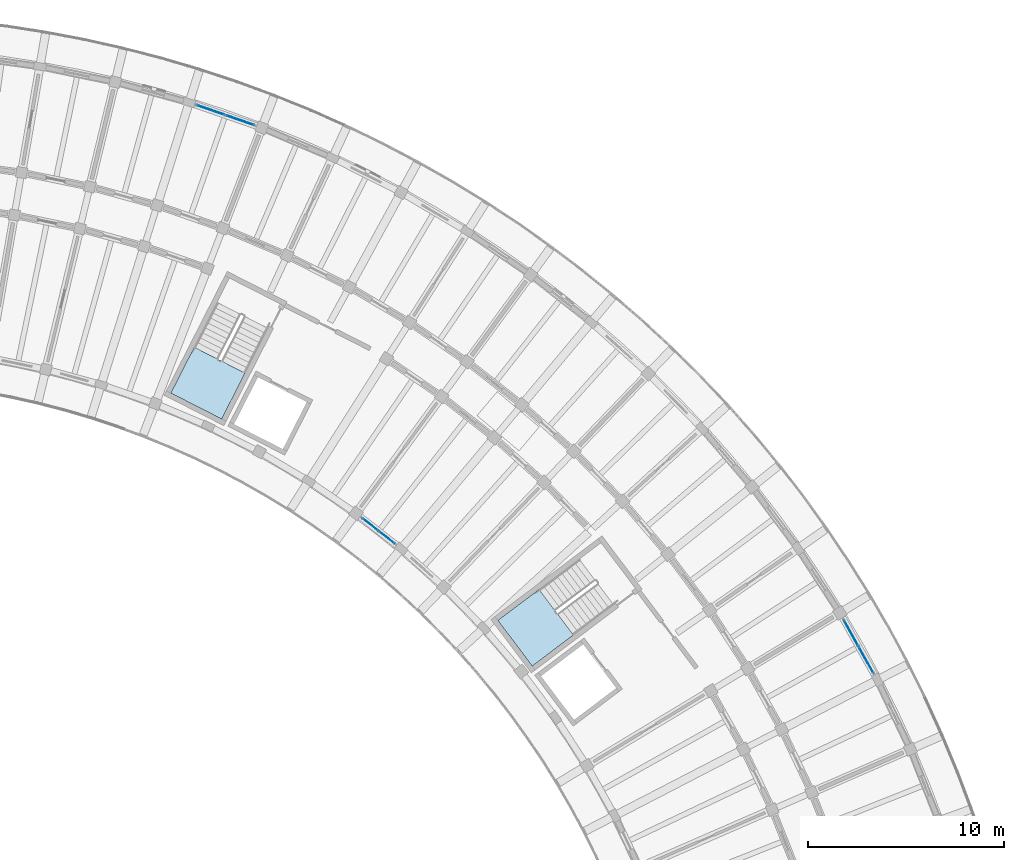
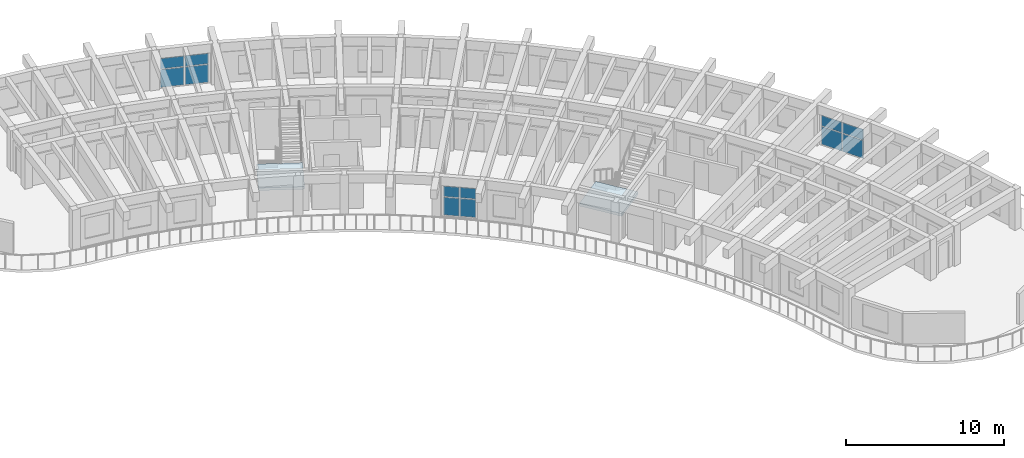
# One storey, part 36 of 78: 12 plates, 2 slabs, 5 elements without a shape of their own.
"""IFC4 building model written with IfcOpenShell, lengths in metres."""

from ifc_helpers import new_model, si_unit, direction, frame, origin, origin_2d, place, context, subcontext, project, spatial, polyline, rectangle, outline, extrude, material, layer, layer_set, type_object, element, aggregate, save


model = new_model("IFC4")

# Units and contexts
model_context = context("Model", 3, precision=1e-05, world=origin(), true_north=direction((0.0, 1.0)))
body_context = subcontext(model_context, "Body", "Model", "MODEL_VIEW")
ifc_project = project(units=[si_unit("LENGTHUNIT", "METRE"), si_unit("AREAUNIT", "SQUARE_METRE"), si_unit("VOLUMEUNIT", "CUBIC_METRE"), si_unit("PLANEANGLEUNIT", "RADIAN"), si_unit("MASSUNIT", "GRAM", prefix="KILO")], contexts=[model_context])

# Site, building, storey
site_placement = place(None, origin())
site = spatial("IfcSite", under=ifc_project, at=site_placement, CompositionType="ELEMENT")
building_placement = place(site_placement, origin())
building = spatial("IfcBuilding", under=site, at=building_placement, Name="Tanwirah Colonnade Gardens", CompositionType="ELEMENT")
storey_placement = place(building_placement, frame((0.0, 0.0, 22.280029296875)))
storey = spatial("IfcBuildingStorey", under=building, at=storey_placement, Name="L06", CompositionType="ELEMENT", Elevation=22.280029296875)

# Curtain wall, plates
ifc_material_1 = material(Name="Bronze-anodised aluminium and solar-control low-E glass", Category="aluminium")
curtain_wall_type_1 = type_object("IfcCurtainWallType", Name="CW-LOB", PredefinedType="NOTDEFINED", material=ifc_material_1)
curtain_wall_1_placement = place(storey_placement, origin())
curtain_wall_1 = element("IfcCurtainWall", 1, at=curtain_wall_1_placement, inside=storey, type_object=curtain_wall_type_1, Name="Curtain Wall CW-B-L06-OUT-03", PredefinedType="NOTDEFINED")
ifc_material_2 = material(Name="Insulated bronze aluminium spandrel panel", Category="aluminium")
ifc_layer_1 = layer(ifc_material_2, 0.035888671875)
ifc_layer_set_1 = layer_set([ifc_layer_1], Name="Insulated bronze aluminium spandrel panel")
plate_type = type_object("IfcPlateType", Name="CWP-SPN36", PredefinedType="CURTAIN_PANEL", material=ifc_layer_set_1)
plate_1_placement = place(storey_placement, frame((173.326416015625, 88.571044921875, 0.06494140625), z_axis=(0.0, 0.0, 1.0), x_axis=(-0.488200181987, 0.8727316783, 0.0)))
plate_1 = element("IfcPlate", 2, at=plate_1_placement, type_object=plate_type, Name="CW-LOB panel 1.1", PredefinedType="CURTAIN_PANEL", context=body_context, shape_type="SweptSolid", body=[
    extrude(rectangle(XDim=1.50537109375, YDim=0.035888671875, at=origin_2d()), origin(), (0.0, 0.0, 1.0), 1.362548828125),
])
plate_2_placement = place(storey_placement, frame((173.326416015625, 88.571044921875, 1.49267578125), z_axis=(0.0, 0.0, 1.0), x_axis=(-0.488200181987, 0.8727316783, 0.0)))
plate_2 = element("IfcPlate", 3, at=plate_2_placement, type_object=plate_type, Name="CW-LOB panel 1.2", PredefinedType="CURTAIN_PANEL", context=body_context, shape_type="SweptSolid", body=[
    extrude(rectangle(XDim=1.50537109375, YDim=0.035888671875, at=origin_2d()), origin(), (0.0, 0.0, 1.0), 0.79736328125),
])
plate_3_placement = place(storey_placement, frame((172.5595703125, 89.941650390625, 0.06494140625), z_axis=(0.0, 0.0, 1.0), x_axis=(-0.488200181987, 0.8727316783, 0.0)))
plate_3 = element("IfcPlate", 4, at=plate_3_placement, type_object=plate_type, Name="CW-LOB panel 2.1", PredefinedType="CURTAIN_PANEL", context=body_context, shape_type="SweptSolid", body=[
    extrude(rectangle(XDim=1.50537109375, YDim=0.035888671875, at=origin_2d()), origin(), (0.0, 0.0, 1.0), 1.362548828125),
])
plate_4_placement = place(storey_placement, frame((172.5595703125, 89.941650390625, 1.49267578125), z_axis=(0.0, 0.0, 1.0), x_axis=(-0.488200181987, 0.8727316783, 0.0)))
plate_4 = element("IfcPlate", 5, at=plate_4_placement, type_object=plate_type, Name="CW-LOB panel 2.2", PredefinedType="CURTAIN_PANEL", context=body_context, shape_type="SweptSolid", body=[
    extrude(rectangle(XDim=1.50537109375, YDim=0.035888671875, at=origin_2d()), origin(), (0.0, 0.0, 1.0), 0.79736328125),
])
aggregate(curtain_wall_1, [plate_1, plate_2, plate_3, plate_4])

curtain_wall_type_2 = type_object("IfcCurtainWallType", Name="CW-GDN", PredefinedType="NOTDEFINED", material=ifc_material_1)
curtain_wall_2_placement = place(storey_placement, origin())
curtain_wall_2 = element("IfcCurtainWall", 6, at=curtain_wall_2_placement, inside=storey, type_object=curtain_wall_type_2, Name="Curtain Wall CW-B-L06-IN-09", PredefinedType="NOTDEFINED")
plate_5_placement = place(storey_placement, frame((148.841064453125, 94.823974609375, 0.06494140625), z_axis=(0.0, 0.0, 1.0), x_axis=(-0.786815291166, 0.617188542982, 0.0)))
plate_5 = element("IfcPlate", 7, at=plate_5_placement, type_object=plate_type, Name="CW-GDN panel 1.1", PredefinedType="CURTAIN_PANEL", context=body_context, shape_type="SweptSolid", body=[
    extrude(rectangle(XDim=1.007568359375, YDim=0.035888671875, at=origin_2d()), origin(), (0.0, 0.0, 1.0), 1.362548828125),
])
plate_6_placement = place(storey_placement, frame((148.841064453125, 94.823974609375, 1.49267578125), z_axis=(0.0, 0.0, 1.0), x_axis=(-0.786815291166, 0.617188542982, 0.0)))
plate_6 = element("IfcPlate", 8, at=plate_6_placement, type_object=plate_type, Name="CW-GDN panel 1.2", PredefinedType="CURTAIN_PANEL", context=body_context, shape_type="SweptSolid", body=[
    extrude(rectangle(XDim=1.007568359375, YDim=0.035888671875, at=origin_2d()), origin(), (0.0, 0.0, 1.0), 0.79736328125),
])
plate_7_placement = place(storey_placement, frame((147.9970703125, 95.48583984375, 0.06494140625), z_axis=(0.0, 0.0, 1.0), x_axis=(-0.786815291166, 0.617188542982, 0.0)))
plate_7 = element("IfcPlate", 9, at=plate_7_placement, type_object=plate_type, Name="CW-GDN panel 2.1", PredefinedType="CURTAIN_PANEL", context=body_context, shape_type="SweptSolid", body=[
    extrude(rectangle(XDim=1.007568359375, YDim=0.035888671875, at=origin_2d()), origin(), (0.0, 0.0, 1.0), 1.362548828125),
])
plate_8_placement = place(storey_placement, frame((147.9970703125, 95.48583984375, 1.49267578125), z_axis=(0.0, 0.0, 1.0), x_axis=(-0.786815291166, 0.617188542982, 0.0)))
plate_8 = element("IfcPlate", 10, at=plate_8_placement, type_object=plate_type, Name="CW-GDN panel 2.2", PredefinedType="CURTAIN_PANEL", context=body_context, shape_type="SweptSolid", body=[
    extrude(rectangle(XDim=1.007568359375, YDim=0.035888671875, at=origin_2d()), origin(), (0.0, 0.0, 1.0), 0.79736328125),
])
aggregate(curtain_wall_2, [plate_5, plate_6, plate_7, plate_8])

curtain_wall_3_placement = place(storey_placement, origin())
curtain_wall_3 = element("IfcCurtainWall", 11, at=curtain_wall_3_placement, inside=storey, type_object=curtain_wall_type_1, Name="Curtain Wall CW-B-L06-OUT-14", PredefinedType="NOTDEFINED")
plate_9_placement = place(storey_placement, frame((141.336669921875, 116.140869140625, 0.06494140625), z_axis=(0.0, 0.0, 1.0), x_axis=(-0.944248993208, 0.329232195914, 0.0)))
plate_9 = element("IfcPlate", 12, at=plate_9_placement, type_object=plate_type, Name="CW-LOB panel 1.1", PredefinedType="CURTAIN_PANEL", context=body_context, shape_type="SweptSolid", body=[
    extrude(rectangle(XDim=1.50537109375, YDim=0.035888671875, at=origin_2d()), origin(), (0.0, 0.0, 1.0), 1.362548828125),
])
plate_10_placement = place(storey_placement, frame((141.336669921875, 116.140869140625, 1.49267578125), z_axis=(0.0, 0.0, 1.0), x_axis=(-0.944248993208, 0.329232195914, 0.0)))
plate_10 = element("IfcPlate", 13, at=plate_10_placement, type_object=plate_type, Name="CW-LOB panel 1.2", PredefinedType="CURTAIN_PANEL", context=body_context, shape_type="SweptSolid", body=[
    extrude(rectangle(XDim=1.50537109375, YDim=0.035888671875, at=origin_2d()), origin(), (0.0, 0.0, 1.0), 0.79736328125),
])
plate_11_placement = place(storey_placement, frame((139.853759765625, 116.657958984375, 0.06494140625), z_axis=(0.0, 0.0, 1.0), x_axis=(-0.944248993208, 0.329232195914, 0.0)))
plate_11 = element("IfcPlate", 14, at=plate_11_placement, type_object=plate_type, Name="CW-LOB panel 2.1", PredefinedType="CURTAIN_PANEL", context=body_context, shape_type="SweptSolid", body=[
    extrude(rectangle(XDim=1.50537109375, YDim=0.035888671875, at=origin_2d()), origin(), (0.0, 0.0, 1.0), 1.362548828125),
])
plate_12_placement = place(storey_placement, frame((139.853759765625, 116.657958984375, 1.49267578125), z_axis=(0.0, 0.0, 1.0), x_axis=(-0.944248993208, 0.329232195914, 0.0)))
plate_12 = element("IfcPlate", 15, at=plate_12_placement, type_object=plate_type, Name="CW-LOB panel 2.2", PredefinedType="CURTAIN_PANEL", context=body_context, shape_type="SweptSolid", body=[
    extrude(rectangle(XDim=1.50537109375, YDim=0.035888671875, at=origin_2d()), origin(), (0.0, 0.0, 1.0), 0.79736328125),
])
aggregate(curtain_wall_3, [plate_9, plate_10, plate_11, plate_12])

# Stair, slab
ifc_material_3 = material(Name="Precast concrete C40/50", Category="concrete")
stair_type = type_object("IfcStairType", Name="ST-RES168", PredefinedType="HALF_TURN_STAIR", material=ifc_material_3)
stair_1_placement = place(storey_placement, origin())
stair_1 = element("IfcStair", 16, at=stair_1_placement, inside=storey, type_object=stair_type, Name="L06 Block B Core 1 Exit Stair", PredefinedType="HALF_TURN_STAIR")
ifc_layer_2 = layer(ifc_material_3, 0.205078125)
ifc_layer_set_2 = layer_set([ifc_layer_2], Name="Precast concrete C40/50")
slab_type = type_object("IfcSlabType", Name="SL-LND-205", PredefinedType="LANDING", material=ifc_layer_set_2)
slab_1_placement = place(storey_placement, frame((0.0, 0.0, 1.474853515625)))
slab_1 = element("IfcSlab", 17, at=slab_1_placement, type_object=slab_type, Name="ST-B1 landing 1", PredefinedType="LANDING", context=body_context, shape_type="SweptSolid", body=[
    extrude(outline(polyline([(156.615478515625, 92.171875), (154.510986328125, 90.586181640625), (156.268310546875, 88.254150390625), (158.372802734375, 89.83984375), (156.615478515625, 92.171875)])), origin(), (0.0, 0.0, 1.0), 0.205078125),
])
aggregate(stair_1, [slab_1])

stair_2_placement = place(storey_placement, origin())
stair_2 = element("IfcStair", 18, at=stair_2_placement, inside=storey, type_object=stair_type, Name="L06 Block B Core 2 Exit Stair", PredefinedType="HALF_TURN_STAIR")
slab_2_placement = place(storey_placement, frame((0.0, 0.0, 1.474853515625)))
slab_2 = element("IfcSlab", 19, at=slab_2_placement, type_object=slab_type, Name="ST-B2 landing 1", PredefinedType="LANDING", context=body_context, shape_type="SweptSolid", body=[
    extrude(outline(polyline([(138.995361328125, 104.549072265625), (137.799072265625, 102.201171875), (140.40087890625, 100.87548828125), (141.59716796875, 103.223388671875), (138.995361328125, 104.549072265625)])), origin(), (0.0, 0.0, 1.0), 0.205078125),
])
aggregate(stair_2, [slab_2])

save(model, "model.ifc")
